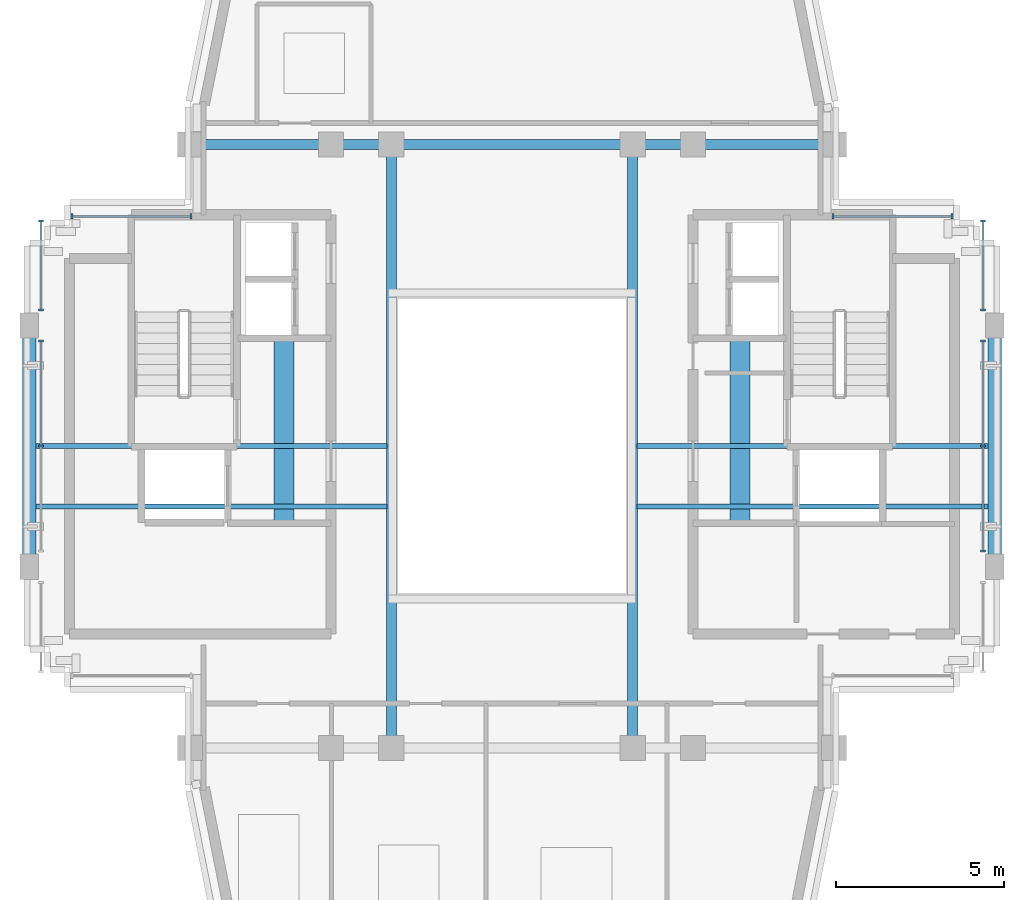
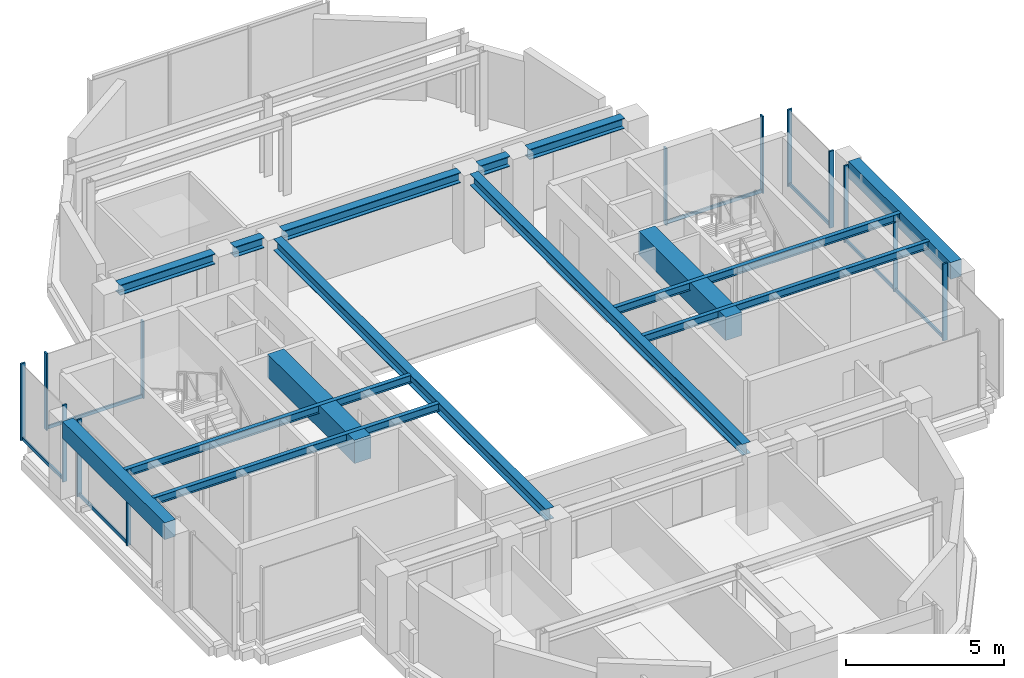
# One storey, part 4 of 11: 20 members, 15 beams, 6 elements without a shape of their own.
"""IFC4 building model written with IfcOpenShell, lengths in metres."""

from ifc_helpers import new_model, si_unit, direction, frame, origin, origin_2d, place, context, subcontext, project, spatial, rectangle, i_section, extrude, source, transform, mapped, material, material_profile, profile_set, type_object, element, aggregate, save


model = new_model("IFC4")

# Units and contexts
model_context = context("Model", 3, precision=1e-05, world=origin(), true_north=direction((0.0, 1.0)))
body_context = subcontext(model_context, "Body", "Model", "MODEL_VIEW")
ifc_project = project(units=[si_unit("LENGTHUNIT", "METRE"), si_unit("AREAUNIT", "SQUARE_METRE"), si_unit("VOLUMEUNIT", "CUBIC_METRE"), si_unit("PLANEANGLEUNIT", "RADIAN"), si_unit("MASSUNIT", "GRAM", prefix="KILO")], contexts=[model_context])

# Site, building, storey
site_placement = place(None, origin())
site = spatial("IfcSite", under=ifc_project, at=site_placement, CompositionType="ELEMENT")
building_placement = place(site_placement, origin())
building = spatial("IfcBuilding", under=site, at=building_placement, Name="Keilestroom Media Tower", CompositionType="ELEMENT")
storey_placement = place(building_placement, frame((0.0, 0.0, 265.199951171875)))
storey = spatial("IfcBuildingStorey", under=building, at=storey_placement, Name="L74", CompositionType="ELEMENT", Elevation=265.199951171875)

# Beams
ifc_material_1 = material(Name="Concrete C70/85", Category="concrete")
ifc_material_profile_1 = material_profile(ifc_material_1, rectangle(XDim=0.60009765625, YDim=0.89990234375, at=origin_2d()), Name="RC 600x900")
ifc_profile_set_1 = profile_set([ifc_material_profile_1], Name="Concrete C70/85")
beam_type_1 = type_object("IfcBeamType", Name="Core-Coupling-Lintel-Beam-RC-600x900", PredefinedType="LINTEL", material=ifc_profile_set_1)
shared_shape_1 = source(origin(), body_context, "Body", "SweptSolid", [
    extrude(rectangle(XDim=0.60009765625, YDim=0.89990234375, at=origin_2d()), origin(), (0.0, 0.0, 1.0), 5.52001953125),
])
for number, where, z_axis, x_axis, name in (
    (1, (-6.800048828125, -2.300048828125, 2.56005859375), (0.0, 1.0, 0.0), (-1.0, 0.0, 0.0), "L74 Beam CLB-1 CLB-L74-W"),
    (2, (6.800048828125, -2.300048828125, 2.56005859375), (0.0, 1.0, 0.0), (-1.0, 0.0, 0.0), "L74 Beam CLB-1 CLB-L74-E"),
):
    element("IfcBeam", number, at=place(storey_placement, frame(where, z_axis=z_axis, x_axis=x_axis)), inside=storey, type_object=beam_type_1, Name=name, PredefinedType="LINTEL", context=body_context, shape_type="MappedRepresentation", body=[
        mapped(shared_shape_1, transform((0.0, 0.0, 0.0), x_axis=(1.0, 0.0, 0.0), y_axis=(0.0, 1.0, 0.0), z_axis=(0.0, 0.0, 1.0), scale=1.0)),
    ])
ifc_material_2 = material(Name="Steel S355", Category="steel")
ifc_material_profile_2 = material_profile(ifc_material_2, i_section(OverallWidth=0.300048828125, OverallDepth=0.39990234375, WebThickness=0.011474609375, FlangeThickness=0.02392578125, at=origin_2d()), Name="HEB 400")
ifc_profile_set_2 = profile_set([ifc_material_profile_2], Name="Steel S355")
beam_type_2 = type_object("IfcBeamType", Name="Primary-Structural-Girder-HEB-400", PredefinedType="BEAM", material=ifc_profile_set_2)
shared_shape_2 = source(origin(), body_context, "Body", "SweptSolid", [
    extrude(i_section(OverallWidth=0.300048828125, OverallDepth=0.39990234375, WebThickness=0.011474609375, FlangeThickness=0.02392578125, at=origin_2d()), origin(), (0.0, 0.0, 1.0), 3.490234375),
])
for number, where, z_axis, x_axis, name in (
    (3, (-9.2451171875, 9.0, 2.81005859375), (1.0, 0.0, 0.0), (0.0, 1.0, 0.0), "L74 Beam BG-8 BM-L74-EW-008"),
    (4, (5.7548828125, 9.0, 2.81005859375), (1.0, 0.0, 0.0), (0.0, 1.0, 0.0), "L74 Beam BG-8 BM-L74-EW-012"),
):
    element("IfcBeam", number, at=place(storey_placement, frame(where, z_axis=z_axis, x_axis=x_axis)), inside=storey, type_object=beam_type_2, Name=name, PredefinedType="BEAM", context=body_context, shape_type="MappedRepresentation", body=[
        mapped(shared_shape_2, transform((0.0, 0.0, 0.0), x_axis=(1.0, 0.0, 0.0), y_axis=(0.0, 1.0, 0.0), z_axis=(0.0, 0.0, 1.0), scale=1.0)),
    ])
shared_shape_3 = source(origin(), body_context, "Body", "SweptSolid", [
    extrude(i_section(OverallWidth=0.300048828125, OverallDepth=0.39990234375, WebThickness=0.011474609375, FlangeThickness=0.02392578125, at=origin_2d()), origin(), (0.0, 0.0, 1.0), 1.08984375),
])
for number, where, z_axis, x_axis, name in (
    (5, (-5.044921875, 9.0, 2.81005859375), (1.0, 0.0, 0.0), (0.0, 1.0, 0.0), "L74 Beam BG-8 BM-L74-EW-009"),
    (6, (3.955078125, 9.0, 2.81005859375), (1.0, 0.0, 0.0), (0.0, 1.0, 0.0), "L74 Beam BG-8 BM-L74-EW-011"),
):
    element("IfcBeam", number, at=place(storey_placement, frame(where, z_axis=z_axis, x_axis=x_axis)), inside=storey, type_object=beam_type_2, Name=name, PredefinedType="BEAM", context=body_context, shape_type="MappedRepresentation", body=[
        mapped(shared_shape_3, transform((0.0, 0.0, 0.0), x_axis=(1.0, 0.0, 0.0), y_axis=(0.0, 1.0, 0.0), z_axis=(0.0, 0.0, 1.0), scale=1.0)),
    ])
shared_shape_4 = source(origin(), body_context, "Body", "SweptSolid", [
    extrude(i_section(OverallWidth=0.300048828125, OverallDepth=0.39990234375, WebThickness=0.011474609375, FlangeThickness=0.02392578125, at=origin_2d()), origin(), (0.0, 0.0, 1.0), 6.490234375),
])
beam_placement = place(storey_placement, frame((-3.2451171875, 9.0, 2.81005859375), z_axis=(1.0, 0.0, 0.0), x_axis=(0.0, 1.0, 0.0)))
element("IfcBeam", 7, at=beam_placement, inside=storey, type_object=beam_type_2, Name="L74 Beam BG-8 BM-L74-EW-010", PredefinedType="BEAM", context=body_context, shape_type="MappedRepresentation", body=[
    mapped(shared_shape_4, transform((0.0, 0.0, 0.0), x_axis=(1.0, 0.0, 0.0), y_axis=(0.0, 1.0, 0.0), z_axis=(0.0, 0.0, 1.0), scale=1.0)),
])
ifc_material_3 = material(Name="Precast concrete C40/50", Category="concrete")
ifc_material_profile_3 = material_profile(ifc_material_3, rectangle(XDim=0.39990234375, YDim=0.64990234375, at=origin_2d()), Name="PC 400x650")
ifc_profile_set_3 = profile_set([ifc_material_profile_3], Name="Precast concrete C40/50")
beam_type_3 = type_object("IfcBeamType", Name="Perimeter-Spandrel-Beam-PC-400x650", PredefinedType="SPANDREL", material=ifc_profile_set_3)
shared_shape_5 = source(origin(), body_context, "Body", "SweptSolid", [
    extrude(rectangle(XDim=0.39990234375, YDim=0.64990234375, at=origin_2d()), origin(), (0.0, 0.0, 1.0), 6.490234375),
])
for number, where, z_axis, x_axis, name in (
    (8, (-14.39990234375, -3.2451171875, 2.68505859375), (0.0, 1.0, 0.0), (-1.0, 0.0, 0.0), "L74 Beam SPB-2 BM-L74-NS-017"),
    (9, (14.39990234375, -3.2451171875, 2.68505859375), (0.0, 1.0, 0.0), (-1.0, 0.0, 0.0), "L74 Beam SPB-2 BM-L74-NS-028"),
):
    element("IfcBeam", number, at=place(storey_placement, frame(where, z_axis=z_axis, x_axis=x_axis)), inside=storey, type_object=beam_type_3, Name=name, PredefinedType="SPANDREL", context=body_context, shape_type="MappedRepresentation", body=[
        mapped(shared_shape_5, transform((0.0, 0.0, 0.0), x_axis=(1.0, 0.0, 0.0), y_axis=(0.0, 1.0, 0.0), z_axis=(0.0, 0.0, 1.0), scale=1.0)),
    ])
ifc_material_profile_4 = material_profile(ifc_material_2, i_section(OverallWidth=0.300048828125, OverallDepth=0.43994140625, WebThickness=0.011474609375, FlangeThickness=0.02099609375, at=origin_2d()), Name="HEA 450")
ifc_profile_set_4 = profile_set([ifc_material_profile_4], Name="Steel S355")
beam_type_4 = type_object("IfcBeamType", Name="Primary-Structural-Girder-HEA-450", PredefinedType="BEAM", material=ifc_profile_set_4)
shared_shape_6 = source(origin(), body_context, "Body", "SweptSolid", [
    extrude(i_section(OverallWidth=0.300048828125, OverallDepth=0.43994140625, WebThickness=0.011474609375, FlangeThickness=0.02099609375, at=origin_2d()), origin(), (0.0, 0.0, 1.0), 17.2900390625),
])
for number, where, z_axis, x_axis, name in (
    (10, (-3.60009765625, -8.64501953125, 2.7900390625), (0.0, 1.0, 0.0), (-1.0, 0.0, 0.0), "L74 Beam BG-11 BM-L74-NS-021"),
    (11, (3.60009765625, -8.64501953125, 2.7900390625), (0.0, 1.0, 0.0), (-1.0, 0.0, 0.0), "L74 Beam BG-11 BM-L74-NS-024"),
):
    element("IfcBeam", number, at=place(storey_placement, frame(where, z_axis=z_axis, x_axis=x_axis)), inside=storey, type_object=beam_type_4, Name=name, PredefinedType="BEAM", context=body_context, shape_type="MappedRepresentation", body=[
        mapped(shared_shape_6, transform((0.0, 0.0, 0.0), x_axis=(1.0, 0.0, 0.0), y_axis=(0.0, 1.0, 0.0), z_axis=(0.0, 0.0, 1.0), scale=1.0)),
    ])
ifc_material_profile_5 = material_profile(ifc_material_2, i_section(OverallWidth=0.14990234375, OverallDepth=0.300048828125, WebThickness=0.007080078125, FlangeThickness=0.0107421875, at=origin_2d()), Name="IPE 300")
ifc_profile_set_5 = profile_set([ifc_material_profile_5], Name="Steel S355")
beam_type_5 = type_object("IfcBeamType", Name="Secondary-Floor-Joist-IPE-300", PredefinedType="JOIST", material=ifc_profile_set_5)
shared_shape_7 = source(origin(), body_context, "Body", "SweptSolid", [
    extrude(i_section(OverallWidth=0.14990234375, OverallDepth=0.300048828125, WebThickness=0.007080078125, FlangeThickness=0.0107421875, at=origin_2d()), origin(), (0.0, 0.0, 1.0), 10.489990234375),
])
for number, where, z_axis, x_axis, name in (
    (12, (-14.219970703125, -1.800048828125, 2.860107421875), (1.0, 0.0, 0.0), (0.0, 1.0, 0.0), "L74 Beam BJ-7 JST-L74-029"),
    (13, (3.72998046875, -1.800048828125, 2.860107421875), (1.0, 0.0, 0.0), (0.0, 1.0, 0.0), "L74 Beam BJ-7 JST-L74-031"),
    (14, (-14.219970703125, 0.0, 2.860107421875), (1.0, 0.0, 0.0), (0.0, 1.0, 0.0), "L74 Beam BJ-7 JST-L74-032"),
    (15, (3.72998046875, 0.0, 2.860107421875), (1.0, 0.0, 0.0), (0.0, 1.0, 0.0), "L74 Beam BJ-7 JST-L74-034"),
):
    element("IfcBeam", number, at=place(storey_placement, frame(where, z_axis=z_axis, x_axis=x_axis)), inside=storey, type_object=beam_type_5, Name=name, PredefinedType="JOIST", context=body_context, shape_type="MappedRepresentation", body=[
        mapped(shared_shape_7, transform((0.0, 0.0, 0.0), x_axis=(1.0, 0.0, 0.0), y_axis=(0.0, 1.0, 0.0), z_axis=(0.0, 0.0, 1.0), scale=1.0)),
    ])

# Curtain wall, members
ifc_material_4 = material(Name="Anodised Aluminium Alloy", Category="aluminium")
curtain_wall_type = type_object("IfcCurtainWallType", Name="Unitised-Curtain-Wall-CW-4", PredefinedType="NOTDEFINED", material=ifc_material_4)
curtain_wall_1_placement = place(storey_placement, origin())
curtain_wall_1 = element("IfcCurtainWall", 16, at=curtain_wall_1_placement, inside=storey, type_object=curtain_wall_type, Name="L74 Curtain Wall CW-4 CW-L74-W-2", PredefinedType="NOTDEFINED")
ifc_material_profile_6 = material_profile(ifc_material_4, rectangle(XDim=0.06005859375, YDim=0.159912109375, at=origin_2d()), Name="ALU MULLION 60x160")
ifc_profile_set_6 = profile_set([ifc_material_profile_6], Name="Anodised Aluminium Alloy")
member_type_1 = type_object("IfcMemberType", Name="Curtain-Wall-Mullion-CW-4", PredefinedType="MULLION", material=ifc_profile_set_6)
shared_shape_8 = source(origin(), body_context, "Body", "SweptSolid", [
    extrude(rectangle(XDim=0.06005859375, YDim=0.159912109375, at=origin_2d()), origin(), (0.0, 0.0, 1.0), 2.97998046875),
])
member_1_placement = place(storey_placement, frame((-14.050048828125, 0.0, 0.0), z_axis=(0.0, 0.0, 1.0), x_axis=(0.0, 1.0, 0.0)))
member_1 = element("IfcMember", 17, at=member_1_placement, type_object=member_type_1, Name="CW-4 Mullion 01", PredefinedType="MULLION", context=body_context, shape_type="MappedRepresentation", body=[
    mapped(shared_shape_8, transform((0.0, 0.0, 0.0), x_axis=(1.0, 0.0, 0.0), y_axis=(0.0, 1.0, 0.0), z_axis=(0.0, 0.0, 1.0), scale=1.0)),
])
member_2_placement = place(storey_placement, frame((-14.050048828125, 3.135009765625, 0.0), z_axis=(0.0, 0.0, 1.0), x_axis=(0.0, 1.0, 0.0)))
member_2 = element("IfcMember", 18, at=member_2_placement, type_object=member_type_1, Name="CW-4 Mullion 02", PredefinedType="MULLION", context=body_context, shape_type="MappedRepresentation", body=[
    mapped(shared_shape_8, transform((0.0, 0.0, 0.0), x_axis=(1.0, 0.0, 0.0), y_axis=(0.0, 1.0, 0.0), z_axis=(0.0, 0.0, 1.0), scale=1.0)),
])

curtain_wall_2_placement = place(storey_placement, origin())
curtain_wall_2 = element("IfcCurtainWall", 19, at=curtain_wall_2_placement, inside=storey, type_object=curtain_wall_type, Name="L74 Curtain Wall CW-4 CW-L74-W-3", PredefinedType="NOTDEFINED")
member_3_placement = place(storey_placement, frame((-14.050048828125, 4.06494140625, 0.0), z_axis=(0.0, 0.0, 1.0), x_axis=(0.0, 1.0, 0.0)))
member_3 = element("IfcMember", 20, at=member_3_placement, type_object=member_type_1, Name="CW-4 Mullion 00", PredefinedType="MULLION", context=body_context, shape_type="MappedRepresentation", body=[
    mapped(shared_shape_8, transform((0.0, 0.0, 0.0), x_axis=(1.0, 0.0, 0.0), y_axis=(0.0, 1.0, 0.0), z_axis=(0.0, 0.0, 1.0), scale=1.0)),
])
member_4_placement = place(storey_placement, frame((-14.050048828125, 6.719970703125, 0.0), z_axis=(0.0, 0.0, 1.0), x_axis=(0.0, 1.0, 0.0)))
member_4 = element("IfcMember", 21, at=member_4_placement, type_object=member_type_1, Name="CW-4 Mullion 01", PredefinedType="MULLION", context=body_context, shape_type="MappedRepresentation", body=[
    mapped(shared_shape_8, transform((0.0, 0.0, 0.0), x_axis=(1.0, 0.0, 0.0), y_axis=(0.0, 1.0, 0.0), z_axis=(0.0, 0.0, 1.0), scale=1.0)),
])

curtain_wall_3_placement = place(storey_placement, origin())
curtain_wall_3 = element("IfcCurtainWall", 22, at=curtain_wall_3_placement, inside=storey, type_object=curtain_wall_type, Name="L74 Curtain Wall CW-4 CW-L74-E-2", PredefinedType="NOTDEFINED")
member_5_placement = place(storey_placement, frame((14.050048828125, -3.135009765625, 0.0), z_axis=(0.0, 0.0, 1.0), x_axis=(0.0, 1.0, 0.0)))
member_5 = element("IfcMember", 23, at=member_5_placement, type_object=member_type_1, Name="CW-4 Mullion 00", PredefinedType="MULLION", context=body_context, shape_type="MappedRepresentation", body=[
    mapped(shared_shape_8, transform((0.0, 0.0, 0.0), x_axis=(1.0, 0.0, 0.0), y_axis=(0.0, 1.0, 0.0), z_axis=(0.0, 0.0, 1.0), scale=1.0)),
])
member_6_placement = place(storey_placement, frame((14.050048828125, 0.0, 0.0), z_axis=(0.0, 0.0, 1.0), x_axis=(0.0, 1.0, 0.0)))
member_6 = element("IfcMember", 24, at=member_6_placement, type_object=member_type_1, Name="CW-4 Mullion 01", PredefinedType="MULLION", context=body_context, shape_type="MappedRepresentation", body=[
    mapped(shared_shape_8, transform((0.0, 0.0, 0.0), x_axis=(1.0, 0.0, 0.0), y_axis=(0.0, 1.0, 0.0), z_axis=(0.0, 0.0, 1.0), scale=1.0)),
])
member_7_placement = place(storey_placement, frame((14.050048828125, 3.135009765625, 0.0), z_axis=(0.0, 0.0, 1.0), x_axis=(0.0, 1.0, 0.0)))
member_7 = element("IfcMember", 25, at=member_7_placement, type_object=member_type_1, Name="CW-4 Mullion 02", PredefinedType="MULLION", context=body_context, shape_type="MappedRepresentation", body=[
    mapped(shared_shape_8, transform((0.0, 0.0, 0.0), x_axis=(1.0, 0.0, 0.0), y_axis=(0.0, 1.0, 0.0), z_axis=(0.0, 0.0, 1.0), scale=1.0)),
])

curtain_wall_4_placement = place(storey_placement, origin())
curtain_wall_4 = element("IfcCurtainWall", 26, at=curtain_wall_4_placement, inside=storey, type_object=curtain_wall_type, Name="L74 Curtain Wall CW-4 CW-L74-E-3", PredefinedType="NOTDEFINED")
member_8_placement = place(storey_placement, frame((14.050048828125, 4.06494140625, 0.0), z_axis=(0.0, 0.0, 1.0), x_axis=(0.0, 1.0, 0.0)))
member_8 = element("IfcMember", 27, at=member_8_placement, type_object=member_type_1, Name="CW-4 Mullion 00", PredefinedType="MULLION", context=body_context, shape_type="MappedRepresentation", body=[
    mapped(shared_shape_8, transform((0.0, 0.0, 0.0), x_axis=(1.0, 0.0, 0.0), y_axis=(0.0, 1.0, 0.0), z_axis=(0.0, 0.0, 1.0), scale=1.0)),
])
member_9_placement = place(storey_placement, frame((14.050048828125, 6.719970703125, 0.0), z_axis=(0.0, 0.0, 1.0), x_axis=(0.0, 1.0, 0.0)))
member_9 = element("IfcMember", 28, at=member_9_placement, type_object=member_type_1, Name="CW-4 Mullion 01", PredefinedType="MULLION", context=body_context, shape_type="MappedRepresentation", body=[
    mapped(shared_shape_8, transform((0.0, 0.0, 0.0), x_axis=(1.0, 0.0, 0.0), y_axis=(0.0, 1.0, 0.0), z_axis=(0.0, 0.0, 1.0), scale=1.0)),
])

curtain_wall_5_placement = place(storey_placement, origin())
curtain_wall_5 = element("IfcCurtainWall", 29, at=curtain_wall_5_placement, inside=storey, type_object=curtain_wall_type, Name="L74 Curtain Wall CW-4 CW-L74-NW-1", PredefinedType="NOTDEFINED")
member_10_placement = place(storey_placement, frame((-13.1201171875, 6.85009765625, 0.0), z_axis=(0.0, 0.0, 1.0), x_axis=(1.0, 0.0, 0.0)))
member_10 = element("IfcMember", 30, at=member_10_placement, type_object=member_type_1, Name="CW-4 Mullion 00", PredefinedType="MULLION", context=body_context, shape_type="MappedRepresentation", body=[
    mapped(shared_shape_8, transform((0.0, 0.0, 0.0), x_axis=(1.0, 0.0, 0.0), y_axis=(0.0, 1.0, 0.0), z_axis=(0.0, 0.0, 1.0), scale=1.0)),
])
member_11_placement = place(storey_placement, frame((-9.580078125, 6.85009765625, 0.0), z_axis=(0.0, 0.0, 1.0), x_axis=(1.0, 0.0, 0.0)))
member_11 = element("IfcMember", 31, at=member_11_placement, type_object=member_type_1, Name="CW-4 Mullion 01", PredefinedType="MULLION", context=body_context, shape_type="MappedRepresentation", body=[
    mapped(shared_shape_8, transform((0.0, 0.0, 0.0), x_axis=(1.0, 0.0, 0.0), y_axis=(0.0, 1.0, 0.0), z_axis=(0.0, 0.0, 1.0), scale=1.0)),
])

curtain_wall_6_placement = place(storey_placement, origin())
curtain_wall_6 = element("IfcCurtainWall", 32, at=curtain_wall_6_placement, inside=storey, type_object=curtain_wall_type, Name="L74 Curtain Wall CW-4 CW-L74-NE-1", PredefinedType="NOTDEFINED")
member_12_placement = place(storey_placement, frame((9.580078125, 6.85009765625, 0.0), z_axis=(0.0, 0.0, 1.0), x_axis=(1.0, 0.0, 0.0)))
member_12 = element("IfcMember", 33, at=member_12_placement, type_object=member_type_1, Name="CW-4 Mullion 00", PredefinedType="MULLION", context=body_context, shape_type="MappedRepresentation", body=[
    mapped(shared_shape_8, transform((0.0, 0.0, 0.0), x_axis=(1.0, 0.0, 0.0), y_axis=(0.0, 1.0, 0.0), z_axis=(0.0, 0.0, 1.0), scale=1.0)),
])
member_13_placement = place(storey_placement, frame((13.1201171875, 6.85009765625, 0.0), z_axis=(0.0, 0.0, 1.0), x_axis=(1.0, 0.0, 0.0)))
member_13 = element("IfcMember", 34, at=member_13_placement, type_object=member_type_1, Name="CW-4 Mullion 01", PredefinedType="MULLION", context=body_context, shape_type="MappedRepresentation", body=[
    mapped(shared_shape_8, transform((0.0, 0.0, 0.0), x_axis=(1.0, 0.0, 0.0), y_axis=(0.0, 1.0, 0.0), z_axis=(0.0, 0.0, 1.0), scale=1.0)),
])

# Member
ifc_material_profile_7 = material_profile(ifc_material_4, rectangle(XDim=0.06005859375, YDim=0.1298828125, at=origin_2d()), Name="ALU TRANSOM 60x130")
ifc_profile_set_7 = profile_set([ifc_material_profile_7], Name="Anodised Aluminium Alloy")
member_type_2 = type_object("IfcMemberType", Name="Curtain-Wall-Transom-CW-4", PredefinedType="USERDEFINED", material=ifc_profile_set_7)
shared_shape_9 = source(origin(), body_context, "Body", "SweptSolid", [
    extrude(rectangle(XDim=0.06005859375, YDim=0.1298828125, at=origin_2d()), origin(), (0.0, 0.0, 1.0), 3.078857421875),
])
member_14_placement = place(storey_placement, frame((-14.050048828125, 0.028076171875, 0.06494140625), z_axis=(0.0, 1.0, 0.0), x_axis=(-1.0, 0.0, 0.0)))
member_14 = element("IfcMember", 35, at=member_14_placement, type_object=member_type_2, Name="CW-4 Transom 01.1", ObjectType="TRANSOM", PredefinedType="USERDEFINED", context=body_context, shape_type="MappedRepresentation", body=[
    mapped(shared_shape_9, transform((0.0, 0.0, 0.0), x_axis=(1.0, 0.0, 0.0), y_axis=(0.0, 1.0, 0.0), z_axis=(0.0, 0.0, 1.0), scale=1.0)),
])

aggregate(curtain_wall_1, [member_1, member_2, member_14])

member_15_placement = place(storey_placement, frame((14.050048828125, -3.10693359375, 0.06494140625), z_axis=(0.0, 1.0, 0.0), x_axis=(-1.0, 0.0, 0.0)))
member_15 = element("IfcMember", 36, at=member_15_placement, type_object=member_type_2, Name="CW-4 Transom 00.1", ObjectType="TRANSOM", PredefinedType="USERDEFINED", context=body_context, shape_type="MappedRepresentation", body=[
    mapped(shared_shape_9, transform((0.0, 0.0, 0.0), x_axis=(1.0, 0.0, 0.0), y_axis=(0.0, 1.0, 0.0), z_axis=(0.0, 0.0, 1.0), scale=1.0)),
])

member_16_placement = place(storey_placement, frame((14.050048828125, 0.028076171875, 0.06494140625), z_axis=(0.0, 1.0, 0.0), x_axis=(-1.0, 0.0, 0.0)))
member_16 = element("IfcMember", 37, at=member_16_placement, type_object=member_type_2, Name="CW-4 Transom 01.1", ObjectType="TRANSOM", PredefinedType="USERDEFINED", context=body_context, shape_type="MappedRepresentation", body=[
    mapped(shared_shape_9, transform((0.0, 0.0, 0.0), x_axis=(1.0, 0.0, 0.0), y_axis=(0.0, 1.0, 0.0), z_axis=(0.0, 0.0, 1.0), scale=1.0)),
])

aggregate(curtain_wall_3, [member_5, member_6, member_7, member_15, member_16])

shared_shape_10 = source(origin(), body_context, "Body", "SweptSolid", [
    extrude(rectangle(XDim=0.06005859375, YDim=0.1298828125, at=origin_2d()), origin(), (0.0, 0.0, 1.0), 2.598876953125),
])
member_17_placement = place(storey_placement, frame((-14.050048828125, 4.093017578125, 0.06494140625), z_axis=(0.0, 1.0, 0.0), x_axis=(-1.0, 0.0, 0.0)))
member_17 = element("IfcMember", 38, at=member_17_placement, type_object=member_type_2, Name="CW-4 Transom 00.1", ObjectType="TRANSOM", PredefinedType="USERDEFINED", context=body_context, shape_type="MappedRepresentation", body=[
    mapped(shared_shape_10, transform((0.0, 0.0, 0.0), x_axis=(1.0, 0.0, 0.0), y_axis=(0.0, 1.0, 0.0), z_axis=(0.0, 0.0, 1.0), scale=1.0)),
])

aggregate(curtain_wall_2, [member_3, member_4, member_17])

member_18_placement = place(storey_placement, frame((14.050048828125, 4.093017578125, 0.06494140625), z_axis=(0.0, 1.0, 0.0), x_axis=(-1.0, 0.0, 0.0)))
member_18 = element("IfcMember", 39, at=member_18_placement, type_object=member_type_2, Name="CW-4 Transom 00.1", ObjectType="TRANSOM", PredefinedType="USERDEFINED", context=body_context, shape_type="MappedRepresentation", body=[
    mapped(shared_shape_10, transform((0.0, 0.0, 0.0), x_axis=(1.0, 0.0, 0.0), y_axis=(0.0, 1.0, 0.0), z_axis=(0.0, 0.0, 1.0), scale=1.0)),
])

aggregate(curtain_wall_4, [member_8, member_9, member_18])

shared_shape_11 = source(origin(), body_context, "Body", "SweptSolid", [
    extrude(rectangle(XDim=0.06005859375, YDim=0.1298828125, at=origin_2d()), origin(), (0.0, 0.0, 1.0), 3.484130859375),
])
member_19_placement = place(storey_placement, frame((-13.092041015625, 6.85009765625, 0.06494140625), z_axis=(1.0, 0.0, 0.0), x_axis=(0.0, 1.0, 0.0)))
member_19 = element("IfcMember", 40, at=member_19_placement, type_object=member_type_2, Name="CW-4 Transom 00.1", ObjectType="TRANSOM", PredefinedType="USERDEFINED", context=body_context, shape_type="MappedRepresentation", body=[
    mapped(shared_shape_11, transform((0.0, 0.0, 0.0), x_axis=(1.0, 0.0, 0.0), y_axis=(0.0, 1.0, 0.0), z_axis=(0.0, 0.0, 1.0), scale=1.0)),
])

aggregate(curtain_wall_5, [member_10, member_11, member_19])

member_20_placement = place(storey_placement, frame((9.60791015625, 6.85009765625, 0.06494140625), z_axis=(1.0, 0.0, 0.0), x_axis=(0.0, 1.0, 0.0)))
member_20 = element("IfcMember", 41, at=member_20_placement, type_object=member_type_2, Name="CW-4 Transom 00.1", ObjectType="TRANSOM", PredefinedType="USERDEFINED", context=body_context, shape_type="MappedRepresentation", body=[
    mapped(shared_shape_11, transform((0.0, 0.0, 0.0), x_axis=(1.0, 0.0, 0.0), y_axis=(0.0, 1.0, 0.0), z_axis=(0.0, 0.0, 1.0), scale=1.0)),
])

aggregate(curtain_wall_6, [member_12, member_13, member_20])

save(model, "model.ifc")
